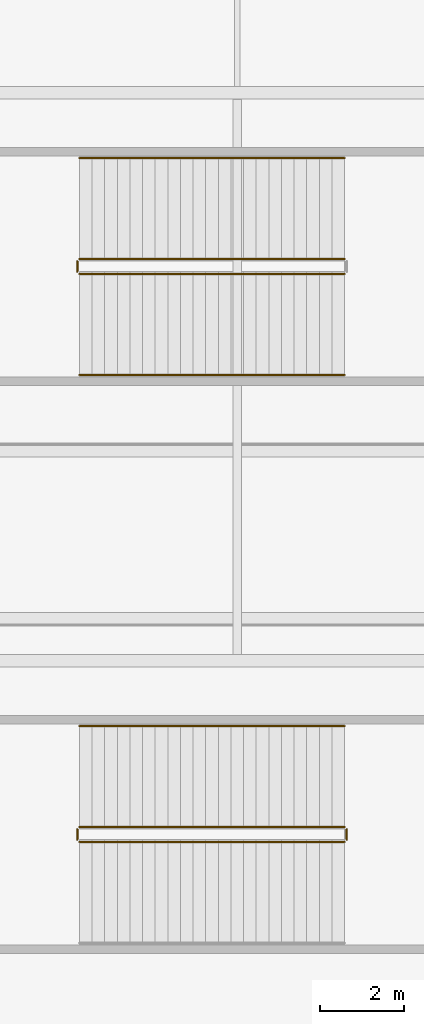
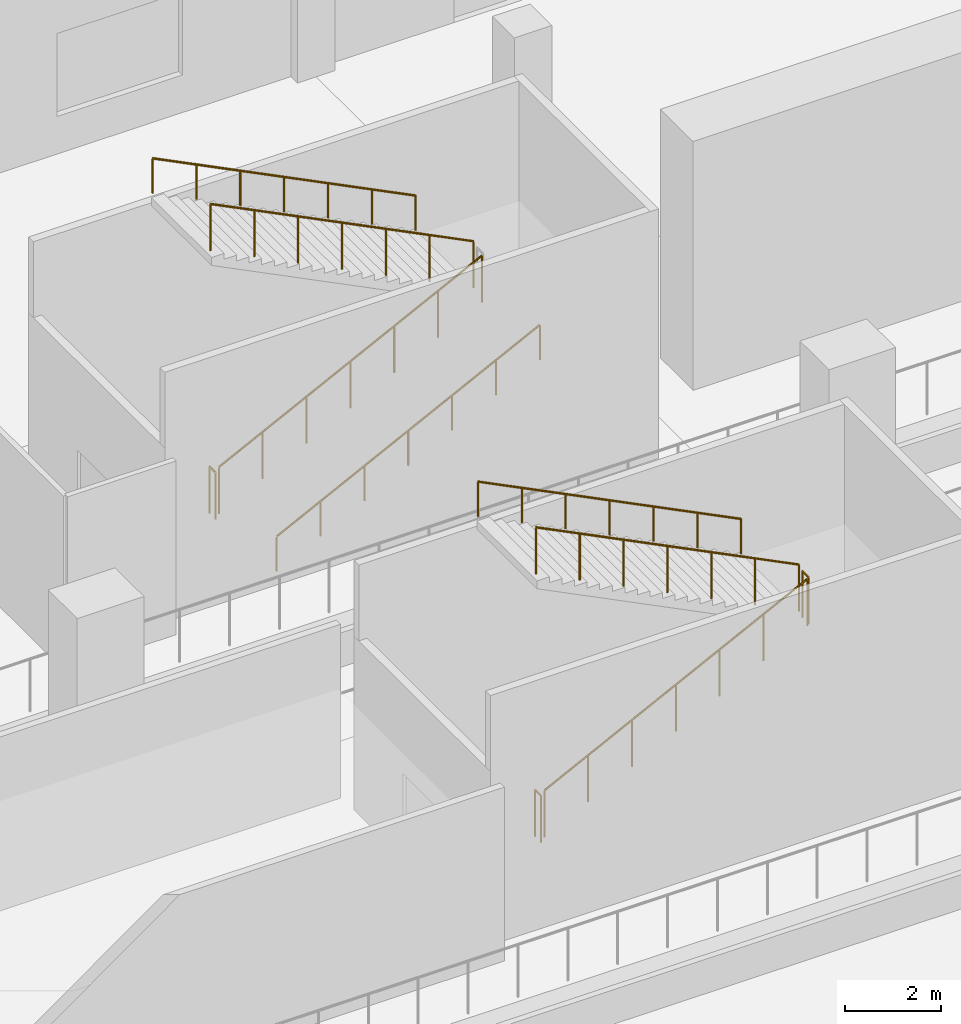
# One storey, part 45 of 65: 10 railings.
"""IFC4 building model written with IfcOpenShell, lengths in metres."""

import ifcopenshell
import ifcopenshell.guid

model = None  # the IFC model being written
_history = None  # IfcOwnerHistory: only IFC2X3 demands one
_inside = {}  # id of a spatial element -> (the spatial element, [elements in it])
_under = {}  # id of a project, library or spatial element -> (it, [spatial elements below it])
_declared = {}  # id of a project -> (the project, [libraries it declares])
_typed = {}  # id of a type object -> (the type object, [elements of that type])
_made_of = {}  # id of a material, layer set ... -> (it, [elements and type objects made of it])


def new_model(schema):
    """Start an empty IFC model of exactly this schema.

    Asked for "IFC4X3", IfcOpenShell would pick the latest addendum, in which some entities
    have other attributes; the version numbers below select the first issue.
    IFC2X3 requires an IfcOwnerHistory on every rooted entity: one is made here for all.
    """
    global model, _history
    if schema == "IFC4X3":
        model = ifcopenshell.file(schema_version=(4, 3, 0, 0))
    else:
        model = ifcopenshell.file(schema=schema)
    _inside.clear()
    _under.clear()
    _declared.clear()
    _typed.clear()
    _made_of.clear()
    _history = None
    if model.schema == "IFC2X3":
        org = make("IfcOrganization", Name="unknown")
        user = make(
            "IfcPersonAndOrganization",
            ThePerson=make("IfcPerson", FamilyName="unknown"),
            TheOrganization=org,
        )
        app = make(
            "IfcApplication",
            ApplicationDeveloper=org,
            Version="unknown",
            ApplicationFullName="unknown",
            ApplicationIdentifier="unknown",
        )
        _history = make(
            "IfcOwnerHistory",
            OwningUser=user,
            OwningApplication=app,
            ChangeAction="ADDED",
            CreationDate=0,
        )
    return model


def make(cls, **values):
    """One entity of the class cls with the attributes given. An attribute that is None is left unset."""
    return model.create_entity(
        cls, **{name: value for name, value in values.items() if value is not None}
    )


def rooted(cls, **values):
    """An entity with a GlobalId (a new one), such as an element, a storey or a relation."""
    return make(cls, GlobalId=ifcopenshell.guid.new(), OwnerHistory=_history, **values)


def si_unit(unit_type, name, prefix=None):
    """IfcSIUnit, for example si_unit("LENGTHUNIT", "METRE", prefix="MILLI")."""
    return make("IfcSIUnit", UnitType=unit_type, Prefix=prefix, Name=name)


def assignment(units):
    """IfcUnitAssignment: the units of a project."""
    return None if units is None else make("IfcUnitAssignment", Units=units)


def point(xyz):
    """IfcCartesianPoint."""
    return None if xyz is None else make("IfcCartesianPoint", Coordinates=xyz)


def direction(xyz):
    """IfcDirection."""
    return None if xyz is None else make("IfcDirection", DirectionRatios=xyz)


def frame(location, z_axis=None, x_axis=None):
    """IfcAxis2Placement3D, a coordinate frame: its origin and axes. An axis left out is left unset."""
    return make(
        "IfcAxis2Placement3D",
        Location=point(location),
        Axis=direction(z_axis),
        RefDirection=direction(x_axis),
    )


def frame_2d(location, x_axis=None):
    """IfcAxis2Placement2D, a coordinate frame in the plane: its origin and x axis."""
    return make(
        "IfcAxis2Placement2D", Location=point(location), RefDirection=direction(x_axis)
    )


def origin():
    """The frame at (0, 0, 0) with its axes left unset."""
    return frame((0.0, 0.0, 0.0))


def origin_2d():
    """The frame at (0, 0) in the plane with its x axis left unset."""
    return frame_2d((0.0, 0.0))


def place(relative_to, where):
    """IfcLocalPlacement: puts the frame where relative to a parent placement (None: the world)."""
    return make(
        "IfcLocalPlacement", PlacementRelTo=relative_to, RelativePlacement=where
    )


def context(
    kind, dimensions, precision=None, world=None, true_north=None, identifier=None
):
    """IfcGeometricRepresentationContext, for example the 3D "Model" context."""
    return make(
        "IfcGeometricRepresentationContext",
        ContextIdentifier=identifier,
        ContextType=kind,
        CoordinateSpaceDimension=dimensions,
        Precision=precision,
        WorldCoordinateSystem=world,
        TrueNorth=true_north,
    )


def subcontext(parent, identifier, kind, view, scale=None):
    """IfcGeometricRepresentationSubContext, for example "Body" below "Model"."""
    return make(
        "IfcGeometricRepresentationSubContext",
        ContextIdentifier=identifier,
        ContextType=kind,
        ParentContext=parent,
        TargetScale=scale,
        TargetView=view,
    )


def project(units=None, contexts=None):
    """IfcProject with its units and contexts."""
    return rooted(
        "IfcProject",
        Name="project",
        RepresentationContexts=contexts,
        UnitsInContext=assignment(units),
    )


def spatial(cls, under=None, at=None, **own):
    """A site, building, storey or space (cls), placed at a placement, below another one or the project."""
    s = rooted(cls, ObjectPlacement=at, **own)
    if under is not None:
        _under.setdefault(under.id(), (under, []))[1].append(s)
    return s


def profile(cls, at=None, kind="AREA", **sizes):
    """A parametric profile (cls). Its sizes go by their IFC names, for example OverallWidth=200.0."""
    return make(cls, ProfileType=kind, Position=at, **sizes)


def circle(**sizes):
    """IfcCircleProfileDef."""
    return profile("IfcCircleProfileDef", **sizes)


def extrude(swept, where, along, depth):
    """IfcExtrudedAreaSolid: the profile swept, set in the frame where, extruded along a direction by depth."""
    return make(
        "IfcExtrudedAreaSolid",
        SweptArea=swept,
        Position=where,
        ExtrudedDirection=direction(along),
        Depth=depth,
    )


def shape(context_of_items, identifier, shape_type, items):
    """IfcShapeRepresentation: the items that make up one representation, for example the "Body"."""
    return make(
        "IfcShapeRepresentation",
        ContextOfItems=context_of_items,
        RepresentationIdentifier=identifier,
        RepresentationType=shape_type,
        Items=items,
    )


def material(Name=None, Category=None):
    """IfcMaterial."""
    return make("IfcMaterial", Name=Name, Category=Category)


def made_of(thing, what):
    """Note that an element or type object is made of a material, layer set ...; save() writes the relation."""
    if what is not None:
        _made_of.setdefault(what.id(), (what, []))[1].append(thing)
    return thing


def type_object(cls, material=None, **own):
    """A type object (cls), such as IfcWallType, which elements share."""
    return made_of(rooted(cls, **own), material)


def element(
    cls,
    number,
    at=None,
    inside=None,
    cuts=None,
    type_object=None,
    material=None,
    context=None,
    identifier="Body",
    shape_type=None,
    held_by="IfcProductDefinitionShape",
    body=None,
    shapes=None,
    **own,
):
    """One element of the class cls, such as IfcWall. Its Tag is "e" and its number.

    at: its placement. inside: the storey or other place that contains it. cuts: it is an
    opening in that element (IfcRelVoidsElement). A single representation is given by context,
    identifier, shape_type and body (its items); several are given by shapes. held_by: the class
    of the entity that holds the representations. save() writes the other relations.
    """
    e = rooted(cls, Tag="e%d" % number, ObjectPlacement=at, **own)
    if body is not None:
        shapes = [shape(context, identifier, shape_type, body)]
    if shapes is not None:
        e.Representation = make(held_by, Representations=shapes)
    if inside is not None:
        _inside.setdefault(inside.id(), (inside, []))[1].append(e)
    if cuts is not None:
        rooted(
            "IfcRelVoidsElement", RelatingBuildingElement=cuts, RelatedOpeningElement=e
        )
    if type_object is not None:
        _typed.setdefault(type_object.id(), (type_object, []))[1].append(e)
    return made_of(e, material)


def aggregate(whole, parts):
    """IfcRelAggregates: a whole, such as a stair, and the parts it consists of."""
    return rooted("IfcRelAggregates", RelatingObject=whole, RelatedObjects=parts)


def save(model, path):
    """Write the relations noted so far, then the file.

    IfcRelAggregates (storeys below a building ...), IfcRelContainedInSpatialStructure (elements
    in a storey), IfcRelDefinesByType, IfcRelAssociatesMaterial and IfcRelDeclares: one each for
    every whole, place, type object, material and project.
    """
    for whole, parts in _under.values():
        aggregate(whole, parts)
    for where, things in _inside.values():
        rooted(
            "IfcRelContainedInSpatialStructure",
            RelatedElements=things,
            RelatingStructure=where,
        )
    for kind, things in _typed.values():
        rooted("IfcRelDefinesByType", RelatedObjects=things, RelatingType=kind)
    for what, things in _made_of.values():
        rooted("IfcRelAssociatesMaterial", RelatedObjects=things, RelatingMaterial=what)
    for by, libraries in _declared.values():
        rooted("IfcRelDeclares", RelatingContext=by, RelatedDefinitions=libraries)
    model.write(path)


model = new_model("IFC4")

# Units and contexts
model_context = context("Model", 3, precision=1e-05, world=origin(), true_north=direction((0.0, 1.0)))
body_context = subcontext(model_context, "Body", "Model", "MODEL_VIEW")
ifc_project = project(units=[si_unit("LENGTHUNIT", "METRE"), si_unit("AREAUNIT", "SQUARE_METRE"), si_unit("VOLUMEUNIT", "CUBIC_METRE"), si_unit("PLANEANGLEUNIT", "RADIAN"), si_unit("MASSUNIT", "GRAM", prefix="KILO")], contexts=[model_context])

# Site, building, storey
site_placement = place(None, origin())
site = spatial("IfcSite", under=ifc_project, at=site_placement, CompositionType="ELEMENT")
building_placement = place(site_placement, origin())
building = spatial("IfcBuilding", under=site, at=building_placement, Name="Chuanluo Vaults Station", CompositionType="ELEMENT")
storey_placement = place(building_placement, origin())
storey = spatial("IfcBuildingStorey", under=building, at=storey_placement, Name="L00", CompositionType="ELEMENT", Elevation=0.0)

# Railings
ifc_material_1 = material(Name="Tempered laminated balustrade glass", Category="glass")
railing_type_1 = type_object("IfcRailingType", Name="RLG-GUARD-1200", PredefinedType="BALUSTRADE", material=ifc_material_1)
railing_1_placement = place(storey_placement, frame((26.25, 99.199951171875, 0.14990234375)))
element("IfcRailing", 1, at=railing_1_placement, inside=storey, type_object=railing_type_1, Name="L00 ST-13 stair guard 1", PredefinedType="BALUSTRADE", context=body_context, shape_type="SweptSolid", body=[
    extrude(circle(Radius=0.02392578125, at=origin_2d()), frame((0.0, 0.0, 1.17578125), z_axis=(0.894420258746, 0.0, 0.44722745974), x_axis=(0.0, 1.0, 0.0)), (0.0, 0.0, 1.0), 7.043701171875),
    extrude(circle(Radius=0.02099609375, at=origin_2d()), origin(), (0.0, 0.0, 1.0), 1.15185546875),
    extrude(circle(Radius=0.02099609375, at=origin_2d()), frame((1.050048828125, 0.0, 0.52490234375)), (0.0, 0.0, 1.0), 1.15185546875),
    extrude(circle(Radius=0.02099609375, at=origin_2d()), frame((2.10009765625, 0.0, 1.050048828125)), (0.0, 0.0, 1.0), 1.15185546875),
    extrude(circle(Radius=0.02099609375, at=origin_2d()), frame((3.14990234375, 0.0, 1.5751953125)), (0.0, 0.0, 1.0), 1.15185546875),
    extrude(circle(Radius=0.02099609375, at=origin_2d()), frame((4.199951171875, 0.0, 2.10009765625)), (0.0, 0.0, 1.0), 1.15185546875),
    extrude(circle(Radius=0.02099609375, at=origin_2d()), frame((5.25, 0.0, 2.625)), (0.0, 0.0, 1.0), 1.15185546875),
    extrude(circle(Radius=0.02099609375, at=origin_2d()), frame((6.300048828125, 0.0, 3.150146484375)), (0.0, 0.0, 1.0), 1.15185546875),
])
railing_2_placement = place(storey_placement, frame((32.60009765625, 99.25, 3.300048828125)))
element("IfcRailing", 2, at=railing_2_placement, inside=storey, type_object=railing_type_1, Name="L00 ST-13 stair guard 2", PredefinedType="BALUSTRADE", context=body_context, shape_type="SweptSolid", body=[
    extrude(circle(Radius=0.02392578125, at=origin_2d()), frame((0.0, 0.0, 1.17578125), z_axis=(0.0, 1.0, 0.0), x_axis=(-1.0, 0.0, 0.0)), (0.0, 0.0, 1.0), 0.25),
    extrude(circle(Radius=0.02099609375, at=origin_2d()), origin(), (0.0, 0.0, 1.0), 1.15185546875),
    extrude(circle(Radius=0.02099609375, at=origin_2d()), frame((0.0, 0.25, 0.0)), (0.0, 0.0, 1.0), 1.15185546875),
])
railing_3_placement = place(storey_placement, frame((32.550048828125, 99.550048828125, 3.449951171875)))
element("IfcRailing", 3, at=railing_3_placement, inside=storey, type_object=railing_type_1, Name="L00 ST-13 stair guard 3", PredefinedType="BALUSTRADE", context=body_context, shape_type="SweptSolid", body=[
    extrude(circle(Radius=0.02392578125, at=origin_2d()), frame((0.0, 0.0, 1.17578125), z_axis=(-0.894420258746, 0.0, 0.44722745974), x_axis=(0.0, -1.0, 0.0)), (0.0, 0.0, 1.0), 7.043701171875),
    extrude(circle(Radius=0.02099609375, at=origin_2d()), origin(), (0.0, 0.0, 1.0), 1.15185546875),
    extrude(circle(Radius=0.02099609375, at=origin_2d()), frame((-1.050048828125, 0.0, 0.52490234375)), (0.0, 0.0, 1.0), 1.15185546875),
    extrude(circle(Radius=0.02099609375, at=origin_2d()), frame((-2.10009765625, 0.0, 1.050048828125)), (0.0, 0.0, 1.0), 1.15185546875),
    extrude(circle(Radius=0.02099609375, at=origin_2d()), frame((-3.14990234375, 0.0, 1.5751953125)), (0.0, 0.0, 1.0), 1.15185546875),
    extrude(circle(Radius=0.02099609375, at=origin_2d()), frame((-4.199951171875, 0.0, 2.10009765625)), (0.0, 0.0, 1.0), 1.15185546875),
    extrude(circle(Radius=0.02099609375, at=origin_2d()), frame((-5.25, 0.0, 2.625)), (0.0, 0.0, 1.0), 1.15185546875),
    extrude(circle(Radius=0.02099609375, at=origin_2d()), frame((-6.300048828125, 0.0, 3.150146484375)), (0.0, 0.0, 1.0), 1.15185546875),
])
railing_4_placement = place(storey_placement, frame((26.199951171875, 99.25, 0.0)))
element("IfcRailing", 4, at=railing_4_placement, inside=storey, type_object=railing_type_1, Name="L00 ST-13 stair guard 4", PredefinedType="BALUSTRADE", context=body_context, shape_type="SweptSolid", body=[
    extrude(circle(Radius=0.02392578125, at=origin_2d()), frame((0.0, 0.0, 1.17578125), z_axis=(0.0, 1.0, 0.0), x_axis=(-1.0, 0.0, 0.0)), (0.0, 0.0, 1.0), 0.25),
    extrude(circle(Radius=0.02099609375, at=origin_2d()), origin(), (0.0, 0.0, 1.0), 1.15185546875),
    extrude(circle(Radius=0.02099609375, at=origin_2d()), frame((0.0, 0.25, 0.0)), (0.0, 0.0, 1.0), 1.15185546875),
])
railing_5_placement = place(storey_placement, frame((26.25, 112.699951171875, 0.14990234375)))
element("IfcRailing", 5, at=railing_5_placement, inside=storey, type_object=railing_type_1, Name="L00 ST-16 stair guard 1", PredefinedType="BALUSTRADE", context=body_context, shape_type="SweptSolid", body=[
    extrude(circle(Radius=0.02392578125, at=origin_2d()), frame((0.0, 0.0, 1.17578125), z_axis=(0.894420258746, 0.0, 0.44722745974), x_axis=(0.0, 1.0, 0.0)), (0.0, 0.0, 1.0), 7.043701171875),
    extrude(circle(Radius=0.02099609375, at=origin_2d()), origin(), (0.0, 0.0, 1.0), 1.15185546875),
    extrude(circle(Radius=0.02099609375, at=origin_2d()), frame((1.050048828125, 0.0, 0.52490234375)), (0.0, 0.0, 1.0), 1.15185546875),
    extrude(circle(Radius=0.02099609375, at=origin_2d()), frame((2.10009765625, 0.0, 1.050048828125)), (0.0, 0.0, 1.0), 1.15185546875),
    extrude(circle(Radius=0.02099609375, at=origin_2d()), frame((3.14990234375, 0.0, 1.5751953125)), (0.0, 0.0, 1.0), 1.15185546875),
    extrude(circle(Radius=0.02099609375, at=origin_2d()), frame((4.199951171875, 0.0, 2.10009765625)), (0.0, 0.0, 1.0), 1.15185546875),
    extrude(circle(Radius=0.02099609375, at=origin_2d()), frame((5.25, 0.0, 2.625)), (0.0, 0.0, 1.0), 1.15185546875),
    extrude(circle(Radius=0.02099609375, at=origin_2d()), frame((6.300048828125, 0.0, 3.150146484375)), (0.0, 0.0, 1.0), 1.15185546875),
])
railing_6_placement = place(storey_placement, frame((32.550048828125, 113.050048828125, 3.449951171875)))
element("IfcRailing", 6, at=railing_6_placement, inside=storey, type_object=railing_type_1, Name="L00 ST-16 stair guard 3", PredefinedType="BALUSTRADE", context=body_context, shape_type="SweptSolid", body=[
    extrude(circle(Radius=0.02392578125, at=origin_2d()), frame((0.0, 0.0, 1.17578125), z_axis=(-0.894420258746, 0.0, 0.44722745974), x_axis=(0.0, -1.0, 0.0)), (0.0, 0.0, 1.0), 7.043701171875),
    extrude(circle(Radius=0.02099609375, at=origin_2d()), origin(), (0.0, 0.0, 1.0), 1.15185546875),
    extrude(circle(Radius=0.02099609375, at=origin_2d()), frame((-1.050048828125, 0.0, 0.52490234375)), (0.0, 0.0, 1.0), 1.15185546875),
    extrude(circle(Radius=0.02099609375, at=origin_2d()), frame((-2.10009765625, 0.0, 1.050048828125)), (0.0, 0.0, 1.0), 1.15185546875),
    extrude(circle(Radius=0.02099609375, at=origin_2d()), frame((-3.14990234375, 0.0, 1.5751953125)), (0.0, 0.0, 1.0), 1.15185546875),
    extrude(circle(Radius=0.02099609375, at=origin_2d()), frame((-4.199951171875, 0.0, 2.10009765625)), (0.0, 0.0, 1.0), 1.15185546875),
    extrude(circle(Radius=0.02099609375, at=origin_2d()), frame((-5.25, 0.0, 2.625)), (0.0, 0.0, 1.0), 1.15185546875),
    extrude(circle(Radius=0.02099609375, at=origin_2d()), frame((-6.300048828125, 0.0, 3.150146484375)), (0.0, 0.0, 1.0), 1.15185546875),
])
railing_7_placement = place(storey_placement, frame((26.199951171875, 112.75, 0.0)))
element("IfcRailing", 7, at=railing_7_placement, inside=storey, type_object=railing_type_1, Name="L00 ST-16 stair guard 4", PredefinedType="BALUSTRADE", context=body_context, shape_type="SweptSolid", body=[
    extrude(circle(Radius=0.02392578125, at=origin_2d()), frame((0.0, 0.0, 1.17578125), z_axis=(0.0, 1.0, 0.0), x_axis=(-1.0, 0.0, 0.0)), (0.0, 0.0, 1.0), 0.25),
    extrude(circle(Radius=0.02099609375, at=origin_2d()), origin(), (0.0, 0.0, 1.0), 1.15185546875),
    extrude(circle(Radius=0.02099609375, at=origin_2d()), frame((0.0, 0.25, 0.0)), (0.0, 0.0, 1.0), 1.15185546875),
])
ifc_material_2 = material(Name="Brushed stainless steel 304", Category="steel")
railing_type_2 = type_object("IfcRailingType", Name="RLG-HAND-900", PredefinedType="HANDRAIL", material=ifc_material_2)
railing_8_placement = place(storey_placement, frame((32.550048828125, 101.949951171875, 3.449951171875)))
element("IfcRailing", 8, at=railing_8_placement, inside=storey, type_object=railing_type_2, Name="L00 ST-13 stair handrail 2", PredefinedType="HANDRAIL", context=body_context, shape_type="SweptSolid", body=[
    extrude(circle(Radius=0.02392578125, at=origin_2d()), frame((0.0, 0.0, 0.8759765625), z_axis=(-0.894420258746, 0.0, 0.44722745974), x_axis=(0.0, -1.0, 0.0)), (0.0, 0.0, 1.0), 7.043701171875),
    extrude(circle(Radius=0.02099609375, at=origin_2d()), origin(), (0.0, 0.0, 1.0), 0.851806640625),
    extrude(circle(Radius=0.02099609375, at=origin_2d()), frame((-1.050048828125, 0.0, 0.52490234375)), (0.0, 0.0, 1.0), 0.851806640625),
    extrude(circle(Radius=0.02099609375, at=origin_2d()), frame((-2.10009765625, 0.0, 1.050048828125)), (0.0, 0.0, 1.0), 0.851806640625),
    extrude(circle(Radius=0.02099609375, at=origin_2d()), frame((-3.14990234375, 0.0, 1.5751953125)), (0.0, 0.0, 1.0), 0.851806640625),
    extrude(circle(Radius=0.02099609375, at=origin_2d()), frame((-4.199951171875, 0.0, 2.10009765625)), (0.0, 0.0, 1.0), 0.851806640625),
    extrude(circle(Radius=0.02099609375, at=origin_2d()), frame((-5.25, 0.0, 2.625)), (0.0, 0.0, 1.0), 0.851806640625),
    extrude(circle(Radius=0.02099609375, at=origin_2d()), frame((-6.300048828125, 0.0, 3.150146484375)), (0.0, 0.0, 1.0), 0.851806640625),
])
railing_9_placement = place(storey_placement, frame((26.25, 110.300048828125, 0.14990234375)))
element("IfcRailing", 9, at=railing_9_placement, inside=storey, type_object=railing_type_2, Name="L00 ST-16 stair handrail 1", PredefinedType="HANDRAIL", context=body_context, shape_type="SweptSolid", body=[
    extrude(circle(Radius=0.02392578125, at=origin_2d()), frame((0.0, 0.0, 0.8759765625), z_axis=(0.894420258746, 0.0, 0.44722745974), x_axis=(0.0, 1.0, 0.0)), (0.0, 0.0, 1.0), 7.043701171875),
    extrude(circle(Radius=0.02099609375, at=origin_2d()), origin(), (0.0, 0.0, 1.0), 0.851806640625),
    extrude(circle(Radius=0.02099609375, at=origin_2d()), frame((1.050048828125, 0.0, 0.52490234375)), (0.0, 0.0, 1.0), 0.851806640625),
    extrude(circle(Radius=0.02099609375, at=origin_2d()), frame((2.10009765625, 0.0, 1.050048828125)), (0.0, 0.0, 1.0), 0.851806640625),
    extrude(circle(Radius=0.02099609375, at=origin_2d()), frame((3.14990234375, 0.0, 1.5751953125)), (0.0, 0.0, 1.0), 0.851806640625),
    extrude(circle(Radius=0.02099609375, at=origin_2d()), frame((4.199951171875, 0.0, 2.10009765625)), (0.0, 0.0, 1.0), 0.851806640625),
    extrude(circle(Radius=0.02099609375, at=origin_2d()), frame((5.25, 0.0, 2.625)), (0.0, 0.0, 1.0), 0.851806640625),
    extrude(circle(Radius=0.02099609375, at=origin_2d()), frame((6.300048828125, 0.0, 3.150146484375)), (0.0, 0.0, 1.0), 0.851806640625),
])
railing_10_placement = place(storey_placement, frame((32.550048828125, 115.449951171875, 3.449951171875)))
element("IfcRailing", 10, at=railing_10_placement, inside=storey, type_object=railing_type_2, Name="L00 ST-16 stair handrail 2", PredefinedType="HANDRAIL", context=body_context, shape_type="SweptSolid", body=[
    extrude(circle(Radius=0.02392578125, at=origin_2d()), frame((0.0, 0.0, 0.8759765625), z_axis=(-0.894420258746, 0.0, 0.44722745974), x_axis=(0.0, -1.0, 0.0)), (0.0, 0.0, 1.0), 7.043701171875),
    extrude(circle(Radius=0.02099609375, at=origin_2d()), origin(), (0.0, 0.0, 1.0), 0.851806640625),
    extrude(circle(Radius=0.02099609375, at=origin_2d()), frame((-1.050048828125, 0.0, 0.52490234375)), (0.0, 0.0, 1.0), 0.851806640625),
    extrude(circle(Radius=0.02099609375, at=origin_2d()), frame((-2.10009765625, 0.0, 1.050048828125)), (0.0, 0.0, 1.0), 0.851806640625),
    extrude(circle(Radius=0.02099609375, at=origin_2d()), frame((-3.14990234375, 0.0, 1.5751953125)), (0.0, 0.0, 1.0), 0.851806640625),
    extrude(circle(Radius=0.02099609375, at=origin_2d()), frame((-4.199951171875, 0.0, 2.10009765625)), (0.0, 0.0, 1.0), 0.851806640625),
    extrude(circle(Radius=0.02099609375, at=origin_2d()), frame((-5.25, 0.0, 2.625)), (0.0, 0.0, 1.0), 0.851806640625),
    extrude(circle(Radius=0.02099609375, at=origin_2d()), frame((-6.300048828125, 0.0, 3.150146484375)), (0.0, 0.0, 1.0), 0.851806640625),
])

save(model, "model.ifc")
